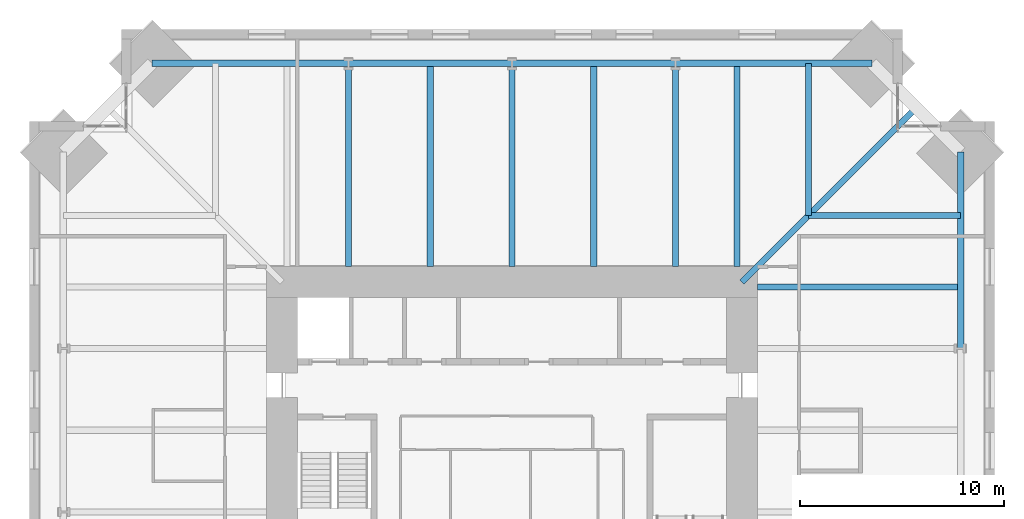
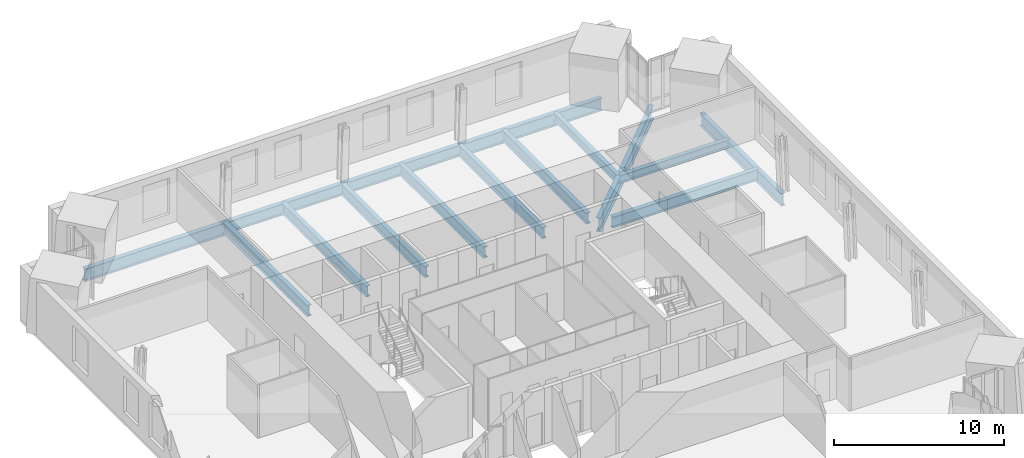
# One storey, part 7 of 14: 15 beams.
"""IFC4 building model written with IfcOpenShell, lengths in metres."""

from ifc_helpers import new_model, si_unit, direction, frame, origin, origin_2d, place, context, subcontext, project, spatial, i_section, extrude, material, material_profile, profile_set, type_object, element, save


model = new_model("IFC4")

# Units and contexts
model_context = context("Model", 3, precision=1e-05, world=origin(), true_north=direction((0.0, 1.0)))
body_context = subcontext(model_context, "Body", "Model", "MODEL_VIEW")
ifc_project = project(units=[si_unit("LENGTHUNIT", "METRE"), si_unit("AREAUNIT", "SQUARE_METRE"), si_unit("VOLUMEUNIT", "CUBIC_METRE"), si_unit("PLANEANGLEUNIT", "RADIAN"), si_unit("MASSUNIT", "GRAM", prefix="KILO")], contexts=[model_context])

# Site, building, storey
site_placement = place(None, origin())
site = spatial("IfcSite", under=ifc_project, at=site_placement, CompositionType="ELEMENT")
building_placement = place(site_placement, origin())
building = spatial("IfcBuilding", under=site, at=building_placement, Name="Peilmerk Tower", CompositionType="ELEMENT")
storey_placement = place(building_placement, frame((0.0, 0.0, 221.800048828125)))
storey = spatial("IfcBuildingStorey", under=building, at=storey_placement, Name="L48", CompositionType="ELEMENT", Elevation=221.800048828125)

# Beams
ifc_material = material(Name="Steel S355", Category="steel")
ifc_material_profile_1 = material_profile(ifc_material, i_section(OverallWidth=0.302978515625, OverallDepth=0.81396484375, WebThickness=0.02099609375, FlangeThickness=0.0400390625, at=origin_2d()), Name="HEM 800")
ifc_profile_set_1 = profile_set([ifc_material_profile_1], Name="Steel S355")
beam_type_1 = type_object("IfcBeamType", Name="B15 HEM 800 edge beam", PredefinedType="SPANDREL", material=ifc_profile_set_1)
for number, where, z_axis, x_axis, name in (
    (1, (8.0, 21.953125, -0.5771484375), (-1.0, 0.0, 0.0), (0.0, -1.0, 0.0), "Edge beam L48"),
    (2, (0.0, 21.953125, -0.5771484375), (-1.0, 0.0, 0.0), (0.0, -1.0, 0.0), "Edge beam L48"),
):
    element("IfcBeam", number, at=place(storey_placement, frame(where, z_axis=z_axis, x_axis=x_axis)), inside=storey, type_object=beam_type_1, Name=name, PredefinedType="SPANDREL", context=body_context, shape_type="SweptSolid", body=[
        extrude(i_section(OverallWidth=0.302978515625, OverallDepth=0.81396484375, WebThickness=0.02099609375, FlangeThickness=0.0400390625, at=origin_2d()), origin(), (0.0, 0.0, 1.0), 8.0),
    ])
ifc_material_profile_2 = material_profile(ifc_material, i_section(OverallWidth=0.302001953125, OverallDepth=0.909912109375, WebThickness=0.02099609375, FlangeThickness=0.0400390625, at=origin_2d()), Name="HEM 900")
ifc_profile_set_2 = profile_set([ifc_material_profile_2], Name="Steel S355")
beam_type_2 = type_object("IfcBeamType", Name="B2 HEM 900 edge beam", PredefinedType="SPANDREL", material=ifc_profile_set_2)
for number, where, z_axis, x_axis, name in (
    (3, (17.603271484375, 21.953125, -0.625), (-1.0, 0.0, 0.0), (0.0, -1.0, 0.0), "Edge beam L48"),
    (4, (-8.0, 21.953125, -0.625), (-1.0, 0.0, 0.0), (0.0, -1.0, 0.0), "Edge beam L48"),
    (5, (21.953125, 8.0, -0.625), (0.0, 1.0, 0.0), (-1.0, 0.0, 0.0), "Edge beam L48"),
):
    element("IfcBeam", number, at=place(storey_placement, frame(where, z_axis=z_axis, x_axis=x_axis)), inside=storey, type_object=beam_type_2, Name=name, PredefinedType="SPANDREL", context=body_context, shape_type="SweptSolid", body=[
        extrude(i_section(OverallWidth=0.302001953125, OverallDepth=0.909912109375, WebThickness=0.02099609375, FlangeThickness=0.0400390625, at=origin_2d()), origin(), (0.0, 0.0, 1.0), 9.603271484375),
    ])
ifc_material_profile_3 = material_profile(ifc_material, i_section(OverallWidth=0.300048828125, OverallDepth=0.590087890625, WebThickness=0.012939453125, FlangeThickness=0.02490234375, at=origin_2d()), Name="HEA 600")
ifc_profile_set_3 = profile_set([ifc_material_profile_3], Name="Steel S355")
beam_type_3 = type_object("IfcBeamType", Name="B27 HEA 600 floor beam", PredefinedType="BEAM", material=ifc_profile_set_3)
for number, where, z_axis, x_axis, name in (
    (6, (14.5, 14.5, -0.465087890625), (0.0, 1.0, 0.0), (-1.0, 0.0, 0.0), "Floor beam L48"),
    (7, (14.5, 14.5, -0.465087890625), (1.0, 0.0, 0.0), (0.0, 1.0, 0.0), "Floor beam L48"),
):
    element("IfcBeam", number, at=place(storey_placement, frame(where, z_axis=z_axis, x_axis=x_axis)), inside=storey, type_object=beam_type_3, Name=name, PredefinedType="BEAM", context=body_context, shape_type="SweptSolid", body=[
        extrude(i_section(OverallWidth=0.300048828125, OverallDepth=0.590087890625, WebThickness=0.012939453125, FlangeThickness=0.02490234375, at=origin_2d()), origin(), (0.0, 0.0, 1.0), 7.453125),
    ])
ifc_material_profile_4 = material_profile(ifc_material, i_section(OverallWidth=0.300048828125, OverallDepth=0.7900390625, WebThickness=0.014892578125, FlangeThickness=0.028076171875, at=origin_2d()), Name="HEA 800")
ifc_profile_set_4 = profile_set([ifc_material_profile_4], Name="Steel S355")
beam_type_4 = type_object("IfcBeamType", Name="B3 HEA 800 floor beam", PredefinedType="BEAM", material=ifc_profile_set_4)
for number, where, z_axis, x_axis, name in (
    (8, (11.0, 12.0, -0.56494140625), (0.0, 1.0, 0.0), (-1.0, 0.0, 0.0), "Floor beam L48"),
    (9, (8.0, 12.0, -0.56494140625), (0.0, 1.0, 0.0), (-1.0, 0.0, 0.0), "Floor beam L48"),
    (10, (4.0, 12.0, -0.56494140625), (0.0, 1.0, 0.0), (-1.0, 0.0, 0.0), "Floor beam L48"),
    (11, (0.0, 12.0, -0.56494140625), (0.0, 1.0, 0.0), (-1.0, 0.0, 0.0), "Floor beam L48"),
    (12, (-4.0, 12.0, -0.56494140625), (0.0, 1.0, 0.0), (-1.0, 0.0, 0.0), "Floor beam L48"),
    (13, (-8.0, 12.0, -0.56494140625), (0.0, 1.0, 0.0), (-1.0, 0.0, 0.0), "Floor beam L48"),
    (14, (12.0, 11.0, -0.56494140625), (1.0, 0.0, 0.0), (0.0, 1.0, 0.0), "Floor beam L48"),
):
    element("IfcBeam", number, at=place(storey_placement, frame(where, z_axis=z_axis, x_axis=x_axis)), inside=storey, type_object=beam_type_4, Name=name, PredefinedType="BEAM", context=body_context, shape_type="SweptSolid", body=[
        extrude(i_section(OverallWidth=0.300048828125, OverallDepth=0.7900390625, WebThickness=0.014892578125, FlangeThickness=0.028076171875, at=origin_2d()), origin(), (0.0, 0.0, 1.0), 9.953125),
    ])
ifc_material_profile_5 = material_profile(ifc_material, i_section(OverallWidth=0.300048828125, OverallDepth=1.0, WebThickness=0.01904296875, FlangeThickness=0.035888671875, at=origin_2d()), Name="HEB 1000")
ifc_profile_set_5 = profile_set([ifc_material_profile_5], Name="Steel S355")
beam_type_5 = type_object("IfcBeamType", Name="B5 HEB 1000 floor girder", PredefinedType="BEAM", material=ifc_profile_set_5)
beam_placement = place(storey_placement, frame((11.25, 11.25, -0.670166015625), z_axis=(0.707106781187, 0.707106781187, 0.0), x_axis=(-0.707106781187, 0.707106781187, 0.0)))
element("IfcBeam", 15, at=beam_placement, inside=storey, type_object=beam_type_5, Name="Corner girder L48", PredefinedType="BEAM", context=body_context, shape_type="SweptSolid", body=[
    extrude(i_section(OverallWidth=0.300048828125, OverallDepth=1.0, WebThickness=0.01904296875, FlangeThickness=0.035888671875, at=origin_2d()), origin(), (0.0, 0.0, 1.0), 12.060791015625),
])

save(model, "model.ifc")
